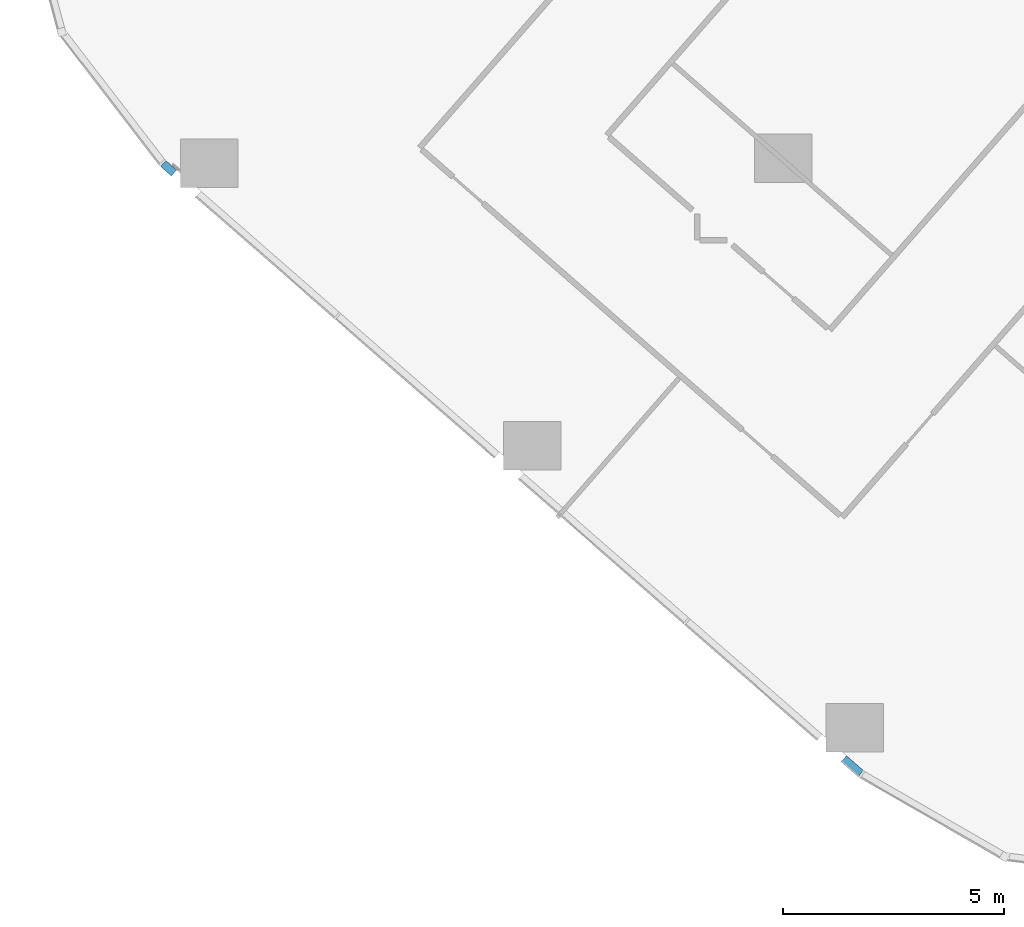
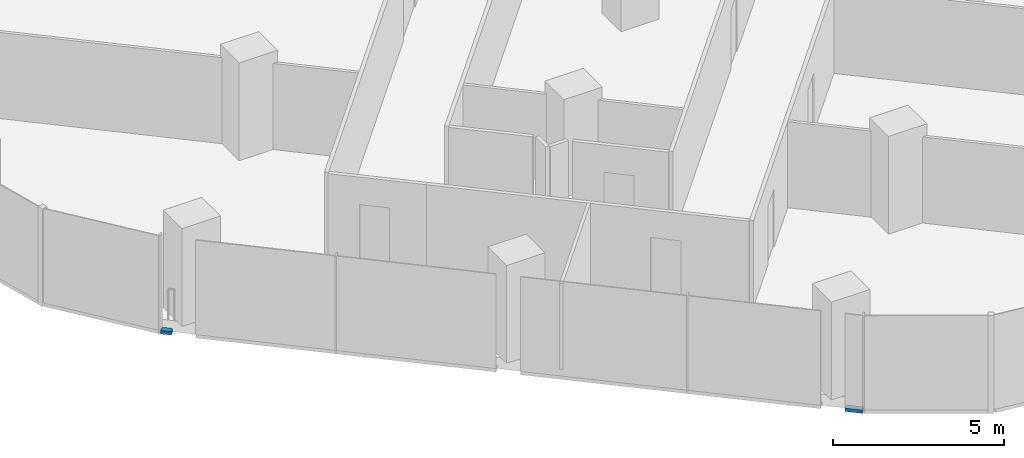
# One storey, part 16 of 38: 2 members, 1 element without a shape of its own.
"""IFC4 building model written with IfcOpenShell, lengths in metres."""

from ifc_helpers import new_model, si_unit, direction, frame, origin, origin_2d, place, context, subcontext, project, spatial, rectangle, extrude, material, material_profile, profile_set, type_object, element, aggregate, save


model = new_model("IFC4")

# Units and contexts
model_context = context("Model", 3, precision=1e-05, world=origin(), true_north=direction((0.0, 1.0)))
body_context = subcontext(model_context, "Body", "Model", "MODEL_VIEW")
ifc_project = project(units=[si_unit("LENGTHUNIT", "METRE"), si_unit("AREAUNIT", "SQUARE_METRE"), si_unit("VOLUMEUNIT", "CUBIC_METRE"), si_unit("PLANEANGLEUNIT", "RADIAN"), si_unit("MASSUNIT", "GRAM", prefix="KILO")], contexts=[model_context])

# Site, building, storey
site_placement = place(None, origin())
site = spatial("IfcSite", under=ifc_project, at=site_placement, CompositionType="ELEMENT")
building_placement = place(site_placement, origin())
building = spatial("IfcBuilding", under=site, at=building_placement, Name="Orlundy Tower", CompositionType="ELEMENT")
storey_placement = place(building_placement, frame((0.0, 0.0, 62.300048828125)))
storey = spatial("IfcBuildingStorey", under=building, at=storey_placement, Name="L14", CompositionType="ELEMENT", Elevation=62.300048828125)

# Curtain wall, members
ifc_material_1 = material(Name="Aluminium bronze anodised", Category="aluminium")
curtain_wall_type = type_object("IfcCurtainWallType", Name="CW1 wall", PredefinedType="NOTDEFINED", material=ifc_material_1)
curtain_wall_placement = place(storey_placement, origin())
curtain_wall = element("IfcCurtainWall", 1, at=curtain_wall_placement, inside=storey, type_object=curtain_wall_type, Name="CW1 run 07", PredefinedType="NOTDEFINED")
ifc_material_2 = material(Name="Aluminium bronze anodised", Category="aluminium")
ifc_material_profile = material_profile(ifc_material_2, rectangle(XDim=0.179931640625, YDim=0.1201171875, at=origin_2d()), Name="CW1 transom 180x120")
ifc_profile_set = profile_set([ifc_material_profile], Name="Aluminium bronze anodised")
member_type = type_object("IfcMemberType", Name="CW1 transom 180x120", PredefinedType="USERDEFINED", material=ifc_profile_set)
member_1_placement = place(storey_placement, frame((-31.33349609375, -51.760009765625, -0.340087890625), z_axis=(-0.752784706073, 0.658266804801, 0.0), x_axis=(-0.658266804801, -0.752784706073, 0.0)))
member_1 = element("IfcMember", 2, at=member_1_placement, type_object=member_type, Name="CW1 transom", ObjectType="TRANSOM", PredefinedType="USERDEFINED", context=body_context, shape_type="SweptSolid", body=[
    extrude(rectangle(XDim=0.179931640625, YDim=0.1201171875, at=origin_2d()), origin(), (0.0, 0.0, 1.0), 0.5087890625),
])
member_2_placement = place(storey_placement, frame((-46.873046875, -38.171875, -0.340087890625), z_axis=(-0.752623362172, 0.658451269808, 0.0), x_axis=(-0.658451269808, -0.752623362172, 0.0)))
member_2 = element("IfcMember", 3, at=member_2_placement, type_object=member_type, Name="CW1 transom", ObjectType="TRANSOM", PredefinedType="USERDEFINED", context=body_context, shape_type="SweptSolid", body=[
    extrude(rectangle(XDim=0.179931640625, YDim=0.1201171875, at=origin_2d()), origin(), (0.0, 0.0, 1.0), 0.323974609375),
])
aggregate(curtain_wall, [member_1, member_2])

save(model, "model.ifc")
